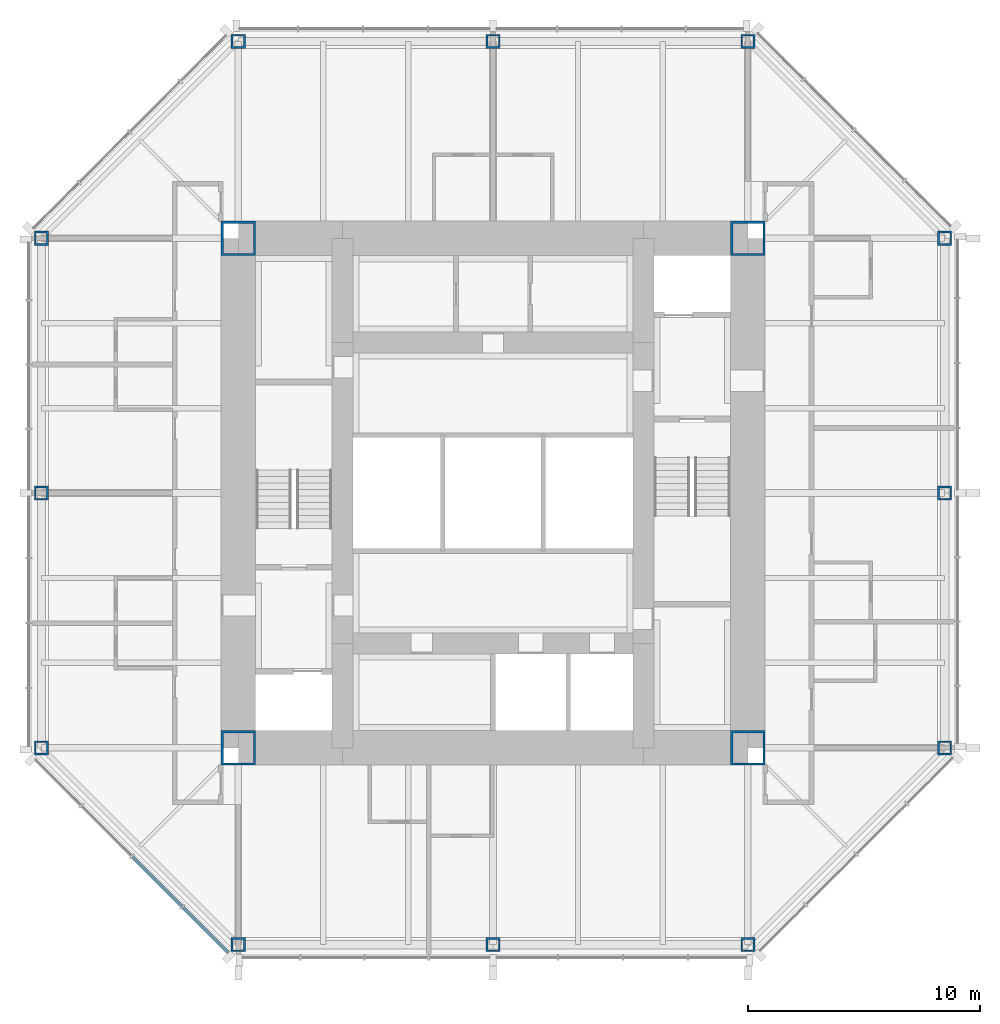
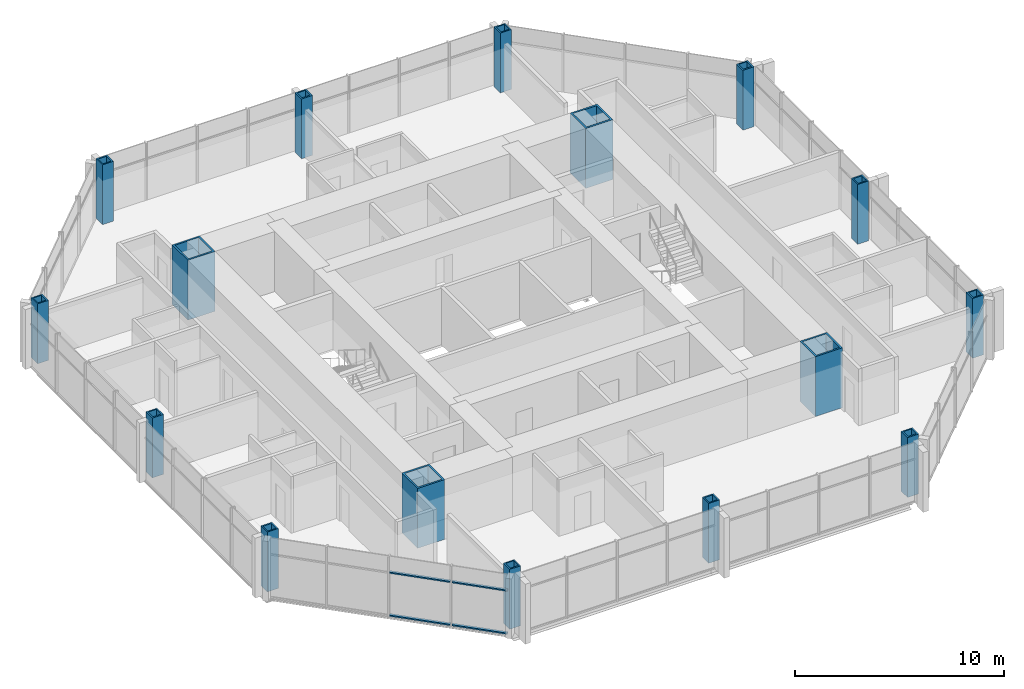
# One storey, part 1 of 11: 16 columns, 4 members, 1 element without a shape of its own.
"""IFC4 building model written with IfcOpenShell, lengths in metres."""

import ifcopenshell
import ifcopenshell.guid

model = None  # the IFC model being written
_history = None  # IfcOwnerHistory: only IFC2X3 demands one
_inside = {}  # id of a spatial element -> (the spatial element, [elements in it])
_under = {}  # id of a project, library or spatial element -> (it, [spatial elements below it])
_declared = {}  # id of a project -> (the project, [libraries it declares])
_typed = {}  # id of a type object -> (the type object, [elements of that type])
_made_of = {}  # id of a material, layer set ... -> (it, [elements and type objects made of it])


def new_model(schema):
    """Start an empty IFC model of exactly this schema.

    Asked for "IFC4X3", IfcOpenShell would pick the latest addendum, in which some entities
    have other attributes; the version numbers below select the first issue.
    IFC2X3 requires an IfcOwnerHistory on every rooted entity: one is made here for all.
    """
    global model, _history
    if schema == "IFC4X3":
        model = ifcopenshell.file(schema_version=(4, 3, 0, 0))
    else:
        model = ifcopenshell.file(schema=schema)
    _inside.clear()
    _under.clear()
    _declared.clear()
    _typed.clear()
    _made_of.clear()
    _history = None
    if model.schema == "IFC2X3":
        org = make("IfcOrganization", Name="unknown")
        user = make(
            "IfcPersonAndOrganization",
            ThePerson=make("IfcPerson", FamilyName="unknown"),
            TheOrganization=org,
        )
        app = make(
            "IfcApplication",
            ApplicationDeveloper=org,
            Version="unknown",
            ApplicationFullName="unknown",
            ApplicationIdentifier="unknown",
        )
        _history = make(
            "IfcOwnerHistory",
            OwningUser=user,
            OwningApplication=app,
            ChangeAction="ADDED",
            CreationDate=0,
        )
    return model


def make(cls, **values):
    """One entity of the class cls with the attributes given. An attribute that is None is left unset."""
    return model.create_entity(
        cls, **{name: value for name, value in values.items() if value is not None}
    )


def rooted(cls, **values):
    """An entity with a GlobalId (a new one), such as an element, a storey or a relation."""
    return make(cls, GlobalId=ifcopenshell.guid.new(), OwnerHistory=_history, **values)


def si_unit(unit_type, name, prefix=None):
    """IfcSIUnit, for example si_unit("LENGTHUNIT", "METRE", prefix="MILLI")."""
    return make("IfcSIUnit", UnitType=unit_type, Prefix=prefix, Name=name)


def assignment(units):
    """IfcUnitAssignment: the units of a project."""
    return None if units is None else make("IfcUnitAssignment", Units=units)


def point(xyz):
    """IfcCartesianPoint."""
    return None if xyz is None else make("IfcCartesianPoint", Coordinates=xyz)


def direction(xyz):
    """IfcDirection."""
    return None if xyz is None else make("IfcDirection", DirectionRatios=xyz)


def frame(location, z_axis=None, x_axis=None):
    """IfcAxis2Placement3D, a coordinate frame: its origin and axes. An axis left out is left unset."""
    return make(
        "IfcAxis2Placement3D",
        Location=point(location),
        Axis=direction(z_axis),
        RefDirection=direction(x_axis),
    )


def frame_2d(location, x_axis=None):
    """IfcAxis2Placement2D, a coordinate frame in the plane: its origin and x axis."""
    return make(
        "IfcAxis2Placement2D", Location=point(location), RefDirection=direction(x_axis)
    )


def origin():
    """The frame at (0, 0, 0) with its axes left unset."""
    return frame((0.0, 0.0, 0.0))


def origin_2d():
    """The frame at (0, 0) in the plane with its x axis left unset."""
    return frame_2d((0.0, 0.0))


def place(relative_to, where):
    """IfcLocalPlacement: puts the frame where relative to a parent placement (None: the world)."""
    return make(
        "IfcLocalPlacement", PlacementRelTo=relative_to, RelativePlacement=where
    )


def context(
    kind, dimensions, precision=None, world=None, true_north=None, identifier=None
):
    """IfcGeometricRepresentationContext, for example the 3D "Model" context."""
    return make(
        "IfcGeometricRepresentationContext",
        ContextIdentifier=identifier,
        ContextType=kind,
        CoordinateSpaceDimension=dimensions,
        Precision=precision,
        WorldCoordinateSystem=world,
        TrueNorth=true_north,
    )


def subcontext(parent, identifier, kind, view, scale=None):
    """IfcGeometricRepresentationSubContext, for example "Body" below "Model"."""
    return make(
        "IfcGeometricRepresentationSubContext",
        ContextIdentifier=identifier,
        ContextType=kind,
        ParentContext=parent,
        TargetScale=scale,
        TargetView=view,
    )


def project(units=None, contexts=None):
    """IfcProject with its units and contexts."""
    return rooted(
        "IfcProject",
        Name="project",
        RepresentationContexts=contexts,
        UnitsInContext=assignment(units),
    )


def spatial(cls, under=None, at=None, **own):
    """A site, building, storey or space (cls), placed at a placement, below another one or the project."""
    s = rooted(cls, ObjectPlacement=at, **own)
    if under is not None:
        _under.setdefault(under.id(), (under, []))[1].append(s)
    return s


def profile(cls, at=None, kind="AREA", **sizes):
    """A parametric profile (cls). Its sizes go by their IFC names, for example OverallWidth=200.0."""
    return make(cls, ProfileType=kind, Position=at, **sizes)


def rectangle(**sizes):
    """IfcRectangleProfileDef."""
    return profile("IfcRectangleProfileDef", **sizes)


def hollow_rectangle(**sizes):
    """IfcRectangleHollowProfileDef."""
    return profile("IfcRectangleHollowProfileDef", **sizes)


def extrude(swept, where, along, depth):
    """IfcExtrudedAreaSolid: the profile swept, set in the frame where, extruded along a direction by depth."""
    return make(
        "IfcExtrudedAreaSolid",
        SweptArea=swept,
        Position=where,
        ExtrudedDirection=direction(along),
        Depth=depth,
    )


def shape(context_of_items, identifier, shape_type, items):
    """IfcShapeRepresentation: the items that make up one representation, for example the "Body"."""
    return make(
        "IfcShapeRepresentation",
        ContextOfItems=context_of_items,
        RepresentationIdentifier=identifier,
        RepresentationType=shape_type,
        Items=items,
    )


def material(Name=None, Category=None):
    """IfcMaterial."""
    return make("IfcMaterial", Name=Name, Category=Category)


def material_profile(
    of_material, cross_section, Name=None, Category=None, Priority=None
):
    """IfcMaterialProfile: a cross section and its material."""
    return make(
        "IfcMaterialProfile",
        Name=Name,
        Material=of_material,
        Profile=cross_section,
        Priority=Priority,
        Category=Category,
    )


def profile_set(profiles, Name=None, composite=None):
    """IfcMaterialProfileSet."""
    return make(
        "IfcMaterialProfileSet",
        Name=Name,
        MaterialProfiles=profiles,
        CompositeProfile=composite,
    )


def made_of(thing, what):
    """Note that an element or type object is made of a material, layer set ...; save() writes the relation."""
    if what is not None:
        _made_of.setdefault(what.id(), (what, []))[1].append(thing)
    return thing


def type_object(cls, material=None, **own):
    """A type object (cls), such as IfcWallType, which elements share."""
    return made_of(rooted(cls, **own), material)


def element(
    cls,
    number,
    at=None,
    inside=None,
    cuts=None,
    type_object=None,
    material=None,
    context=None,
    identifier="Body",
    shape_type=None,
    held_by="IfcProductDefinitionShape",
    body=None,
    shapes=None,
    **own,
):
    """One element of the class cls, such as IfcWall. Its Tag is "e" and its number.

    at: its placement. inside: the storey or other place that contains it. cuts: it is an
    opening in that element (IfcRelVoidsElement). A single representation is given by context,
    identifier, shape_type and body (its items); several are given by shapes. held_by: the class
    of the entity that holds the representations. save() writes the other relations.
    """
    e = rooted(cls, Tag="e%d" % number, ObjectPlacement=at, **own)
    if body is not None:
        shapes = [shape(context, identifier, shape_type, body)]
    if shapes is not None:
        e.Representation = make(held_by, Representations=shapes)
    if inside is not None:
        _inside.setdefault(inside.id(), (inside, []))[1].append(e)
    if cuts is not None:
        rooted(
            "IfcRelVoidsElement", RelatingBuildingElement=cuts, RelatedOpeningElement=e
        )
    if type_object is not None:
        _typed.setdefault(type_object.id(), (type_object, []))[1].append(e)
    return made_of(e, material)


def aggregate(whole, parts):
    """IfcRelAggregates: a whole, such as a stair, and the parts it consists of."""
    return rooted("IfcRelAggregates", RelatingObject=whole, RelatedObjects=parts)


def save(model, path):
    """Write the relations noted so far, then the file.

    IfcRelAggregates (storeys below a building ...), IfcRelContainedInSpatialStructure (elements
    in a storey), IfcRelDefinesByType, IfcRelAssociatesMaterial and IfcRelDeclares: one each for
    every whole, place, type object, material and project.
    """
    for whole, parts in _under.values():
        aggregate(whole, parts)
    for where, things in _inside.values():
        rooted(
            "IfcRelContainedInSpatialStructure",
            RelatedElements=things,
            RelatingStructure=where,
        )
    for kind, things in _typed.values():
        rooted("IfcRelDefinesByType", RelatedObjects=things, RelatingType=kind)
    for what, things in _made_of.values():
        rooted("IfcRelAssociatesMaterial", RelatedObjects=things, RelatingMaterial=what)
    for by, libraries in _declared.values():
        rooted("IfcRelDeclares", RelatingContext=by, RelatedDefinitions=libraries)
    model.write(path)


model = new_model("IFC4")

# Units and contexts
model_context = context("Model", 3, precision=1e-05, world=origin(), true_north=direction((0.0, 1.0)))
body_context = subcontext(model_context, "Body", "Model", "MODEL_VIEW")
ifc_project = project(units=[si_unit("LENGTHUNIT", "METRE"), si_unit("AREAUNIT", "SQUARE_METRE"), si_unit("VOLUMEUNIT", "CUBIC_METRE"), si_unit("PLANEANGLEUNIT", "RADIAN"), si_unit("MASSUNIT", "GRAM", prefix="KILO")], contexts=[model_context])

# Site, building, storey
site_placement = place(None, origin())
site = spatial("IfcSite", under=ifc_project, at=site_placement, CompositionType="ELEMENT")
building_placement = place(site_placement, origin())
building = spatial("IfcBuilding", under=site, at=building_placement, Name="Trevanion Tower", CompositionType="ELEMENT")
storey_placement = place(building_placement, frame((0.0, 0.0, 229.199951171875)))
storey = spatial("IfcBuildingStorey", under=building, at=storey_placement, Name="L55", CompositionType="ELEMENT", Elevation=229.199951171875)

# Columns
ifc_material_1 = material(Name="Steel ASTM A572 Grade 50", Category="steel")
ifc_material_profile_1 = material_profile(ifc_material_1, hollow_rectangle(XDim=0.609619140625, YDim=0.609619140625, WallThickness=0.076171875, at=origin_2d()), Name="BOX24X24X3")
ifc_profile_set_1 = profile_set([ifc_material_profile_1], Name="Steel ASTM A572 Grade 50")
column_type_1 = type_object("IfcColumnType", Name="C5 BOX24X24X3", PredefinedType="COLUMN", material=ifc_profile_set_1)
for number, where, z_axis, x_axis, name in (
    (1, (-19.5, 0.0, 0.0), (0.0, 0.0, 1.0), (0.0, 1.0, 0.0), "C5 5/H L55"),
    (2, (-19.5, -11.0, 0.0), (0.0, 0.0, 1.0), (0.0, 1.0, 0.0), "C5 5/F L55"),
    (3, (-11.0, -19.5, 0.0), (0.0, 0.0, 1.0), (1.0, 0.0, 0.0), "C5 8/C L55"),
    (4, (0.0, -19.5, 0.0), (0.0, 0.0, 1.0), (1.0, 0.0, 0.0), "C5 10/C L55"),
    (5, (11.0, -19.5, 0.0), (0.0, 0.0, 1.0), (1.0, 0.0, 0.0), "C5 12/C L55"),
    (6, (19.5, -11.0, 0.0), (0.0, 0.0, 1.0), (0.0, 1.0, 0.0), "C5 15/F L55"),
    (7, (19.5, 0.0, 0.0), (0.0, 0.0, 1.0), (0.0, 1.0, 0.0), "C5 15/H L55"),
    (8, (19.5, 11.0, 0.0), (0.0, 0.0, 1.0), (0.0, 1.0, 0.0), "C5 15/K L55"),
    (9, (11.0, 19.5, 0.0), (0.0, 0.0, 1.0), (1.0, 0.0, 0.0), "C5 12/N L55"),
    (10, (0.0, 19.5, 0.0), (0.0, 0.0, 1.0), (1.0, 0.0, 0.0), "C5 10/N L55"),
    (11, (-11.0, 19.5, 0.0), (0.0, 0.0, 1.0), (1.0, 0.0, 0.0), "C5 8/N L55"),
    (12, (-19.5, 11.0, 0.0), (0.0, 0.0, 1.0), (0.0, 1.0, 0.0), "C5 5/K L55"),
):
    element("IfcColumn", number, at=place(storey_placement, frame(where, z_axis=z_axis, x_axis=x_axis)), inside=storey, type_object=column_type_1, Name=name, PredefinedType="COLUMN", context=body_context, shape_type="SweptSolid", body=[
        extrude(hollow_rectangle(XDim=0.609619140625, YDim=0.609619140625, WallThickness=0.076171875, at=origin_2d()), origin(), (0.0, 0.0, 1.0), 3.5),
    ])
ifc_material_2 = material(Name="Steel ASTM A572 Grade 50", Category="steel")
ifc_material_profile_2 = material_profile(ifc_material_2, hollow_rectangle(XDim=1.49853515625, YDim=1.49853515625, WallThickness=0.1015625, at=origin_2d()), Name="BOX59X59X4")
ifc_profile_set_2 = profile_set([ifc_material_profile_2], Name="Steel ASTM A572 Grade 50")
column_type_2 = type_object("IfcColumnType", Name="CB1 BOX59X59X4", PredefinedType="COLUMN", material=ifc_profile_set_2)
for number, where, z_axis, x_axis, name in (
    (13, (11.0, 11.0, 0.0), (0.0, 0.0, 1.0), (1.0, 0.0, 0.0), "CB1 NE L55"),
    (14, (-11.0, 11.0, 0.0), (0.0, 0.0, 1.0), (1.0, 0.0, 0.0), "CB1 NW L55"),
    (15, (-11.0, -11.0, 0.0), (0.0, 0.0, 1.0), (1.0, 0.0, 0.0), "CB1 SW L55"),
    (16, (11.0, -11.0, 0.0), (0.0, 0.0, 1.0), (1.0, 0.0, 0.0), "CB1 SE L55"),
):
    element("IfcColumn", number, at=place(storey_placement, frame(where, z_axis=z_axis, x_axis=x_axis)), inside=storey, type_object=column_type_2, Name=name, PredefinedType="COLUMN", context=body_context, shape_type="SweptSolid", body=[
        extrude(hollow_rectangle(XDim=1.49853515625, YDim=1.49853515625, WallThickness=0.1015625, at=origin_2d()), origin(), (0.0, 0.0, 1.0), 3.5),
    ])

# Curtain wall, members
ifc_material_3 = material(Name="Aluminium and glass", Category="aluminium")
curtain_wall_type = type_object("IfcCurtainWallType", Name="CW3 curtain wall", PredefinedType="USERDEFINED", material=ifc_material_3)
curtain_wall_placement = place(storey_placement, origin())
curtain_wall = element("IfcCurtainWall", 17, at=curtain_wall_placement, inside=storey, type_object=curtain_wall_type, Name="CW3 L55 5", ObjectType="UNITISED CURTAIN WALL", PredefinedType="USERDEFINED")
ifc_material_4 = material(Name="Aluminium extrusion, anodised bronze", Category="aluminium")
ifc_material_profile_3 = material_profile(ifc_material_4, rectangle(XDim=0.14990234375, YDim=0.074951171875, at=origin_2d()), Name="CW3 transom")
ifc_profile_set_3 = profile_set([ifc_material_profile_3], Name="Aluminium extrusion, anodised bronze")
member_type = type_object("IfcMemberType", Name="CW3 transom", PredefinedType="USERDEFINED", material=ifc_profile_set_3)
member_1_placement = place(storey_placement, frame((-15.56640625, -15.71142578125, -0.15234375), z_axis=(0.707106781187, -0.707106781187, 0.0), x_axis=(0.707106781187, 0.707106781187, 0.0)))
member_1 = element("IfcMember", 18, at=member_1_placement, type_object=member_type, Name="CW3 transom 3.1", ObjectType="TRANSOM", PredefinedType="USERDEFINED", context=body_context, shape_type="SweptSolid", body=[
    extrude(rectangle(XDim=0.14990234375, YDim=0.074951171875, at=origin_2d()), origin(), (0.0, 0.0, 1.0), 3.011474609375),
])
member_2_placement = place(storey_placement, frame((-15.56640625, -15.71142578125, 2.360107421875), z_axis=(0.707106781187, -0.707106781187, 0.0), x_axis=(0.707106781187, 0.707106781187, 0.0)))
member_2 = element("IfcMember", 19, at=member_2_placement, type_object=member_type, Name="CW3 transom 3.2", ObjectType="TRANSOM", PredefinedType="USERDEFINED", context=body_context, shape_type="SweptSolid", body=[
    extrude(rectangle(XDim=0.14990234375, YDim=0.074951171875, at=origin_2d()), origin(), (0.0, 0.0, 1.0), 3.011474609375),
])
member_3_placement = place(storey_placement, frame((-13.3837890625, -17.89404296875, -0.15234375), z_axis=(0.707106781187, -0.707106781187, 0.0), x_axis=(0.707106781187, 0.707106781187, 0.0)))
member_3 = element("IfcMember", 20, at=member_3_placement, type_object=member_type, Name="CW3 transom 4.1", ObjectType="TRANSOM", PredefinedType="USERDEFINED", context=body_context, shape_type="SweptSolid", body=[
    extrude(rectangle(XDim=0.14990234375, YDim=0.074951171875, at=origin_2d()), origin(), (0.0, 0.0, 1.0), 2.7490234375),
])
member_4_placement = place(storey_placement, frame((-13.3837890625, -17.89404296875, 2.360107421875), z_axis=(0.707106781187, -0.707106781187, 0.0), x_axis=(0.707106781187, 0.707106781187, 0.0)))
member_4 = element("IfcMember", 21, at=member_4_placement, type_object=member_type, Name="CW3 transom 4.2", ObjectType="TRANSOM", PredefinedType="USERDEFINED", context=body_context, shape_type="SweptSolid", body=[
    extrude(rectangle(XDim=0.14990234375, YDim=0.074951171875, at=origin_2d()), origin(), (0.0, 0.0, 1.0), 2.7490234375),
])
aggregate(curtain_wall, [member_1, member_2, member_3, member_4])

save(model, "model.ifc")
